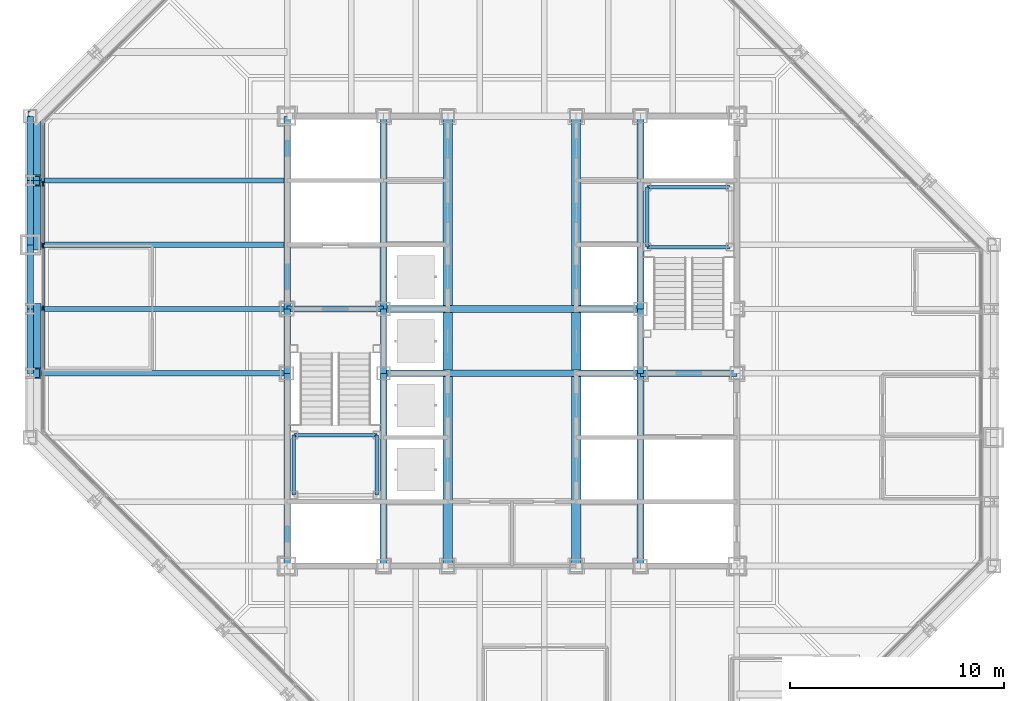
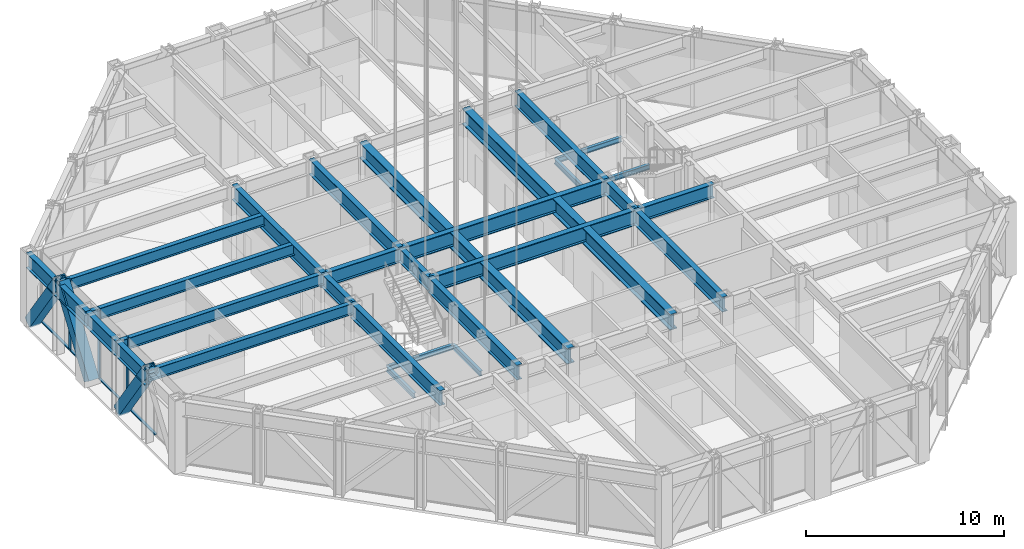
# One storey, part 5 of 24: 33 beams, 10 members, 1 element without a shape of its own.
"""IFC4 building model written with IfcOpenShell, lengths in metres."""

from ifc_helpers import new_model, si_unit, direction, frame, origin, origin_2d, place, context, subcontext, project, spatial, rectangle, hollow_rectangle, i_section, extrude, material, layer, layer_set, material_profile, profile_set, type_object, element, aggregate, save


model = new_model("IFC4")

# Units and contexts
model_context = context("Model", 3, precision=1e-05, world=origin(), true_north=direction((0.0, 1.0)))
body_context = subcontext(model_context, "Body", "Model", "MODEL_VIEW")
ifc_project = project(units=[si_unit("LENGTHUNIT", "METRE"), si_unit("AREAUNIT", "SQUARE_METRE"), si_unit("VOLUMEUNIT", "CUBIC_METRE"), si_unit("PLANEANGLEUNIT", "RADIAN"), si_unit("MASSUNIT", "GRAM", prefix="KILO")], contexts=[model_context])

# Site, building, storey
site_placement = place(None, origin())
site = spatial("IfcSite", under=ifc_project, at=site_placement, CompositionType="ELEMENT")
building_placement = place(site_placement, origin())
building = spatial("IfcBuilding", under=site, at=building_placement, Name="Chuquiago Exchange Tower", CompositionType="ELEMENT")
storey_placement = place(building_placement, frame((0.0, 0.0, 180.0)))
storey = spatial("IfcBuildingStorey", under=building, at=storey_placement, Name="L39", CompositionType="ELEMENT", Elevation=180.0)

# Beams
ifc_material_1 = material(Name="Steel ASTM A992", Category="steel")
ifc_material_profile_1 = material_profile(ifc_material_1, i_section(OverallWidth=0.25390625, OverallDepth=0.683349609375, WebThickness=0.012451171875, FlangeThickness=0.018798828125, at=origin_2d()), Name="W27X94")
ifc_profile_set_1 = profile_set([ifc_material_profile_1], Name="Steel ASTM A992")
beam_type_1 = type_object("IfcBeamType", Name="B1 W27X94", PredefinedType="BEAM", material=ifc_profile_set_1)
for number, where, z_axis, x_axis, name in (
    (1, (12.0, 21.0, 3.998291015625), (-1.0, 0.0, 0.0), (0.0, -1.0, 0.0), "FB-L40-infill-12_21--0_21-0"),
    (2, (12.0, 24.0, 3.998291015625), (-1.0, 0.0, 0.0), (0.0, -1.0, 0.0), "FB-L40-infill-12_24--0_24-0"),
    (3, (12.0, 27.0, 3.998291015625), (-1.0, 0.0, 0.0), (0.0, -1.0, 0.0), "FB-L40-infill-12_27--0_27-0"),
    (4, (12.0, 30.0, 3.998291015625), (-1.0, 0.0, 0.0), (0.0, -1.0, 0.0), "FB-L40-infill-12_30--0_30-0"),
):
    element("IfcBeam", number, at=place(storey_placement, frame(where, z_axis=z_axis, x_axis=x_axis)), inside=storey, type_object=beam_type_1, Name=name, PredefinedType="BEAM", context=body_context, shape_type="SweptSolid", body=[
        extrude(i_section(OverallWidth=0.25390625, OverallDepth=0.683349609375, WebThickness=0.012451171875, FlangeThickness=0.018798828125, at=origin_2d()), origin(), (0.0, 0.0, 1.0), 12.0),
    ])
ifc_material_2 = material(Name="Steel ASTM A992", Category="steel")
ifc_material_profile_2 = material_profile(ifc_material_2, i_section(OverallWidth=0.307373046875, OverallDepth=0.927001953125, WebThickness=0.01953125, FlangeThickness=0.031982421875, at=origin_2d()), Name="W36X194")
ifc_profile_set_2 = profile_set([ifc_material_profile_2], Name="Steel ASTM A992")
beam_type_2 = type_object("IfcBeamType", Name="B10 W36X194", PredefinedType="BEAM", material=ifc_profile_set_2)
for number, where, z_axis, x_axis, name in (
    (5, (12.0, 12.0, 3.87646484375), (0.0, 1.0, 0.0), (-1.0, 0.0, 0.0), "CB-L40-12_12-12_21"),
    (6, (12.0, 24.0, 3.87646484375), (0.0, 1.0, 0.0), (-1.0, 0.0, 0.0), "CB-L40-12_24-12_33"),
    (7, (16.5, 12.0, 3.87646484375), (0.0, 1.0, 0.0), (-1.0, 0.0, 0.0), "CB-L40-16.5_12-16.5_21"),
    (8, (16.5, 24.0, 3.87646484375), (0.0, 1.0, 0.0), (-1.0, 0.0, 0.0), "CB-L40-16.5_24-16.5_33"),
    (9, (28.5, 12.0, 3.87646484375), (0.0, 1.0, 0.0), (-1.0, 0.0, 0.0), "CB-L40-28.5_12-28.5_21"),
    (10, (28.5, 24.0, 3.87646484375), (0.0, 1.0, 0.0), (-1.0, 0.0, 0.0), "CB-L40-28.5_24-28.5_33"),
):
    element("IfcBeam", number, at=place(storey_placement, frame(where, z_axis=z_axis, x_axis=x_axis)), inside=storey, type_object=beam_type_2, Name=name, PredefinedType="BEAM", context=body_context, shape_type="SweptSolid", body=[
        extrude(i_section(OverallWidth=0.307373046875, OverallDepth=0.927001953125, WebThickness=0.01953125, FlangeThickness=0.031982421875, at=origin_2d()), origin(), (0.0, 0.0, 1.0), 9.0),
    ])
ifc_material_3 = material(Name="Steel ASTM A992", Category="steel")
ifc_material_profile_3 = material_profile(ifc_material_3, i_section(OverallWidth=0.309814453125, OverallDepth=0.949951171875, WebThickness=0.0244140625, FlangeThickness=0.0439453125, at=origin_2d()), Name="W36X256")
ifc_profile_set_3 = profile_set([ifc_material_profile_3], Name="Steel ASTM A992")
beam_type_3 = type_object("IfcBeamType", Name="B11 W36X256", PredefinedType="BEAM", material=ifc_profile_set_3)
for number, where, z_axis, x_axis, name in (
    (11, (16.5, 21.0, 3.864990234375), (1.0, 0.0, 0.0), (0.0, 1.0, 0.0), "CB-L40-16.5_21-28.5_21"),
    (12, (16.5, 24.0, 3.864990234375), (1.0, 0.0, 0.0), (0.0, 1.0, 0.0), "CB-L40-16.5_24-28.5_24"),
):
    element("IfcBeam", number, at=place(storey_placement, frame(where, z_axis=z_axis, x_axis=x_axis)), inside=storey, type_object=beam_type_3, Name=name, PredefinedType="BEAM", context=body_context, shape_type="SweptSolid", body=[
        extrude(i_section(OverallWidth=0.309814453125, OverallDepth=0.949951171875, WebThickness=0.0244140625, FlangeThickness=0.0439453125, at=origin_2d()), origin(), (0.0, 0.0, 1.0), 12.0),
    ])
ifc_material_4 = material(Name="Steel ASTM A992", Category="steel")
ifc_material_profile_4 = material_profile(ifc_material_4, i_section(OverallWidth=0.4267578125, OverallDepth=0.975341796875, WebThickness=0.031005859375, FlangeThickness=0.055908203125, at=origin_2d()), Name="W36X395")
ifc_profile_set_4 = profile_set([ifc_material_profile_4], Name="Steel ASTM A992")
beam_type_4 = type_object("IfcBeamType", Name="B12 W36X395", PredefinedType="BEAM", material=ifc_profile_set_4)
beam_1_placement = place(storey_placement, frame((19.5, 12.0, 3.852294921875), z_axis=(0.0, 1.0, 0.0), x_axis=(-1.0, 0.0, 0.0)))
element("IfcBeam", 13, at=beam_1_placement, inside=storey, type_object=beam_type_4, Name="CB-L40-19.5_12-19.5_20.8451", PredefinedType="BEAM", context=body_context, shape_type="SweptSolid", body=[
    extrude(i_section(OverallWidth=0.4267578125, OverallDepth=0.975341796875, WebThickness=0.031005859375, FlangeThickness=0.055908203125, at=origin_2d()), origin(), (0.0, 0.0, 1.0), 8.84521484375),
])
beam_2_placement = place(storey_placement, frame((19.5, 21.15478515625, 3.852294921875), z_axis=(0.0, 1.0, 0.0), x_axis=(-1.0, 0.0, 0.0)))
element("IfcBeam", 14, at=beam_2_placement, inside=storey, type_object=beam_type_4, Name="CB-L40-19.5_21.1549-19.5_23.8451", PredefinedType="BEAM", context=body_context, shape_type="SweptSolid", body=[
    extrude(i_section(OverallWidth=0.4267578125, OverallDepth=0.975341796875, WebThickness=0.031005859375, FlangeThickness=0.055908203125, at=origin_2d()), origin(), (0.0, 0.0, 1.0), 2.6904296875),
])
for number, where, z_axis, x_axis, name in (
    (15, (19.5, 24.15478515625, 3.852294921875), (0.0, 1.0, 0.0), (-1.0, 0.0, 0.0), "CB-L40-19.5_24.1549-19.5_33"),
    (16, (25.5, 12.0, 3.852294921875), (0.0, 1.0, 0.0), (-1.0, 0.0, 0.0), "CB-L40-25.5_12-25.5_20.8451"),
):
    element("IfcBeam", number, at=place(storey_placement, frame(where, z_axis=z_axis, x_axis=x_axis)), inside=storey, type_object=beam_type_4, Name=name, PredefinedType="BEAM", context=body_context, shape_type="SweptSolid", body=[
        extrude(i_section(OverallWidth=0.4267578125, OverallDepth=0.975341796875, WebThickness=0.031005859375, FlangeThickness=0.055908203125, at=origin_2d()), origin(), (0.0, 0.0, 1.0), 8.84521484375),
    ])
beam_3_placement = place(storey_placement, frame((25.5, 21.15478515625, 3.852294921875), z_axis=(0.0, 1.0, 0.0), x_axis=(-1.0, 0.0, 0.0)))
element("IfcBeam", 17, at=beam_3_placement, inside=storey, type_object=beam_type_4, Name="CB-L40-25.5_21.1549-25.5_23.8451", PredefinedType="BEAM", context=body_context, shape_type="SweptSolid", body=[
    extrude(i_section(OverallWidth=0.4267578125, OverallDepth=0.975341796875, WebThickness=0.031005859375, FlangeThickness=0.055908203125, at=origin_2d()), origin(), (0.0, 0.0, 1.0), 2.6904296875),
])
beam_4_placement = place(storey_placement, frame((25.5, 24.15478515625, 3.852294921875), z_axis=(0.0, 1.0, 0.0), x_axis=(-1.0, 0.0, 0.0)))
element("IfcBeam", 18, at=beam_4_placement, inside=storey, type_object=beam_type_4, Name="CB-L40-25.5_24.1549-25.5_33", PredefinedType="BEAM", context=body_context, shape_type="SweptSolid", body=[
    extrude(i_section(OverallWidth=0.4267578125, OverallDepth=0.975341796875, WebThickness=0.031005859375, FlangeThickness=0.055908203125, at=origin_2d()), origin(), (0.0, 0.0, 1.0), 8.84521484375),
])
ifc_material_5 = material(Name="Steel ASTM A992", Category="steel")
ifc_material_profile_5 = material_profile(ifc_material_5, i_section(OverallWidth=0.2919921875, OverallDepth=0.8583984375, WebThickness=0.01708984375, FlangeThickness=0.031005859375, at=origin_2d()), Name="W33X169")
ifc_profile_set_5 = profile_set([ifc_material_profile_5], Name="Steel ASTM A992")
beam_type_5 = type_object("IfcBeamType", Name="B3 W33X169", PredefinedType="BEAM", material=ifc_profile_set_5)
for number, where, z_axis, x_axis, name in (
    (19, (12.0, 21.0, 3.91064453125), (0.0, 1.0, 0.0), (-1.0, 0.0, 0.0), "CB-L40-12_21-12_24"),
    (20, (16.5, 21.0, 3.91064453125), (0.0, 1.0, 0.0), (-1.0, 0.0, 0.0), "CB-L40-16.5_21-16.5_24"),
    (21, (28.5, 21.0, 3.91064453125), (0.0, 1.0, 0.0), (-1.0, 0.0, 0.0), "CB-L40-28.5_21-28.5_24"),
):
    element("IfcBeam", number, at=place(storey_placement, frame(where, z_axis=z_axis, x_axis=x_axis)), inside=storey, type_object=beam_type_5, Name=name, PredefinedType="BEAM", context=body_context, shape_type="SweptSolid", body=[
        extrude(i_section(OverallWidth=0.2919921875, OverallDepth=0.8583984375, WebThickness=0.01708984375, FlangeThickness=0.031005859375, at=origin_2d()), origin(), (0.0, 0.0, 1.0), 3.0),
    ])
for number, where, z_axis, x_axis, name in (
    (22, (28.5, 21.0, 3.91064453125), (1.0, 0.0, 0.0), (0.0, 1.0, 0.0), "CB-L40-28.5_21-33_21"),
    (23, (12.0, 24.0, 3.91064453125), (1.0, 0.0, 0.0), (0.0, 1.0, 0.0), "CB-L40-12_24-16.5_24"),
):
    element("IfcBeam", number, at=place(storey_placement, frame(where, z_axis=z_axis, x_axis=x_axis)), inside=storey, type_object=beam_type_5, Name=name, PredefinedType="BEAM", context=body_context, shape_type="SweptSolid", body=[
        extrude(i_section(OverallWidth=0.2919921875, OverallDepth=0.8583984375, WebThickness=0.01708984375, FlangeThickness=0.031005859375, at=origin_2d()), origin(), (0.0, 0.0, 1.0), 4.5),
    ])

# Curtain wall, members
ifc_material_6 = material(Name="Aluminium curtain wall system", Category="aluminium")
ifc_layer = layer(ifc_material_6, 0.22509765625)
ifc_layer_set = layer_set([ifc_layer], Name="CW2 office curtain wall")
curtain_wall_type = type_object("IfcCurtainWallType", Name="CW2 office curtain wall", PredefinedType="NOTDEFINED", material=ifc_layer_set)
curtain_wall_placement = place(storey_placement, origin())
curtain_wall = element("IfcCurtainWall", 24, at=curtain_wall_placement, inside=storey, type_object=curtain_wall_type, Name="CW2 curtain wall L39", PredefinedType="NOTDEFINED")
ifc_material_7 = material(Name="Aluminium mullion, pale anodised", Category="aluminium")
ifc_material_profile_6 = material_profile(ifc_material_7, rectangle(XDim=0.06494140625, YDim=0.22509765625, at=origin_2d()), Name="AL 65x225")
ifc_profile_set_6 = profile_set([ifc_material_profile_6], Name="Aluminium mullion, pale anodised")
member_type_1 = type_object("IfcMemberType", Name="CW2-M mullion 65x225", PredefinedType="MULLION", material=ifc_profile_set_6)
member_1_placement = place(storey_placement, frame((0.60009765625, 29.850830078125, 0.0), z_axis=(0.0, 0.0, 1.0), x_axis=(1.0, 0.0, 0.0)))
member_1 = element("IfcMember", 25, at=member_1_placement, type_object=member_type_1, Name="CW2 mullion 2", PredefinedType="MULLION", context=body_context, shape_type="SweptSolid", body=[
    extrude(rectangle(XDim=0.06494140625, YDim=0.22509765625, at=origin_2d()), origin(), (0.0, 0.0, 1.0), 4.340087890625),
])
member_2_placement = place(storey_placement, frame((0.60009765625, 26.9501953125, 0.0), z_axis=(0.0, 0.0, 1.0), x_axis=(1.0, 0.0, 0.0)))
member_2 = element("IfcMember", 26, at=member_2_placement, type_object=member_type_1, Name="CW2 mullion 3", PredefinedType="MULLION", context=body_context, shape_type="SweptSolid", body=[
    extrude(rectangle(XDim=0.06494140625, YDim=0.22509765625, at=origin_2d()), origin(), (0.0, 0.0, 1.0), 4.340087890625),
])
member_3_placement = place(storey_placement, frame((0.60009765625, 24.0498046875, 0.0), z_axis=(0.0, 0.0, 1.0), x_axis=(1.0, 0.0, 0.0)))
member_3 = element("IfcMember", 27, at=member_3_placement, type_object=member_type_1, Name="CW2 mullion 4", PredefinedType="MULLION", context=body_context, shape_type="SweptSolid", body=[
    extrude(rectangle(XDim=0.06494140625, YDim=0.22509765625, at=origin_2d()), origin(), (0.0, 0.0, 1.0), 4.340087890625),
])
ifc_material_8 = material(Name="Aluminium transom, pale anodised", Category="aluminium")
ifc_material_profile_7 = material_profile(ifc_material_8, rectangle(XDim=0.139892578125, YDim=0.06494140625, at=origin_2d()), Name="AL 140x65")
ifc_profile_set_7 = profile_set([ifc_material_profile_7], Name="Aluminium transom, pale anodised")
member_type_2 = type_object("IfcMemberType", Name="CW2-T transom 65x140", PredefinedType="MULLION", material=ifc_profile_set_7)
member_4_placement = place(storey_placement, frame((0.60009765625, 32.6865234375, 0.032470703125), z_axis=(0.0, -1.0, 0.0), x_axis=(1.0, 0.0, 0.0)))
member_4 = element("IfcMember", 28, at=member_4_placement, type_object=member_type_2, Name="CW2 transom 1.1", PredefinedType="MULLION", context=body_context, shape_type="SweptSolid", body=[
    extrude(rectangle(XDim=0.139892578125, YDim=0.06494140625, at=origin_2d()), origin(), (0.0, 0.0, 1.0), 2.80322265625),
])
member_5_placement = place(storey_placement, frame((0.60009765625, 29.818359375, 0.032470703125), z_axis=(0.0, -1.0, 0.0), x_axis=(1.0, 0.0, 0.0)))
member_5 = element("IfcMember", 29, at=member_5_placement, type_object=member_type_2, Name="CW2 transom 2.1", PredefinedType="MULLION", context=body_context, shape_type="SweptSolid", body=[
    extrude(rectangle(XDim=0.139892578125, YDim=0.06494140625, at=origin_2d()), origin(), (0.0, 0.0, 1.0), 2.83544921875),
])
member_6_placement = place(storey_placement, frame((0.60009765625, 26.917724609375, 0.032470703125), z_axis=(0.0, -1.0, 0.0), x_axis=(1.0, 0.0, 0.0)))
member_6 = element("IfcMember", 30, at=member_6_placement, type_object=member_type_2, Name="CW2 transom 3.1", PredefinedType="MULLION", context=body_context, shape_type="SweptSolid", body=[
    extrude(rectangle(XDim=0.139892578125, YDim=0.06494140625, at=origin_2d()), origin(), (0.0, 0.0, 1.0), 2.83544921875),
])
member_7_placement = place(storey_placement, frame((0.60009765625, 24.01708984375, 0.032470703125), z_axis=(0.0, -1.0, 0.0), x_axis=(1.0, 0.0, 0.0)))
member_7 = element("IfcMember", 31, at=member_7_placement, type_object=member_type_2, Name="CW2 transom 4.1", PredefinedType="MULLION", context=body_context, shape_type="SweptSolid", body=[
    extrude(rectangle(XDim=0.139892578125, YDim=0.06494140625, at=origin_2d()), origin(), (0.0, 0.0, 1.0), 2.83544921875),
])
aggregate(curtain_wall, [member_1, member_2, member_3, member_4, member_5, member_6, member_7])

# Beams
ifc_material_9 = material(Name="Steel ASTM A992", Category="steel")
ifc_material_profile_8 = material_profile(ifc_material_9, i_section(OverallWidth=0.164794921875, OverallDepth=0.309814453125, WebThickness=0.005859375, FlangeThickness=0.009765625, at=origin_2d()), Name="W12X26")
ifc_profile_set_8 = profile_set([ifc_material_profile_8], Name="Steel ASTM A992")
beam_type_6 = type_object("IfcBeamType", Name="LS1 W12X26", PredefinedType="BEAM", material=ifc_profile_set_8)
for number, where, z_axis, x_axis, name in (
    (32, (12.31005859375, 15.31005859375, 1.89501953125), (0.0, 1.0, 0.0), (-1.0, 0.0, 0.0), "Stair ST1 L39 landing 1 stringer"),
    (33, (16.18994140625, 15.31005859375, 1.89501953125), (0.0, 1.0, 0.0), (-1.0, 0.0, 0.0), "Stair ST1 L39 landing 1 stringer"),
    (34, (28.81005859375, 26.889892578125, 1.89501953125), (0.0, 1.0, 0.0), (-1.0, 0.0, 0.0), "Stair ST2 L39 landing 1 stringer"),
):
    element("IfcBeam", number, at=place(storey_placement, frame(where, z_axis=z_axis, x_axis=x_axis)), inside=storey, type_object=beam_type_6, Name=name, PredefinedType="BEAM", context=body_context, shape_type="SweptSolid", body=[
        extrude(i_section(OverallWidth=0.164794921875, OverallDepth=0.309814453125, WebThickness=0.005859375, FlangeThickness=0.009765625, at=origin_2d()), origin(), (0.0, 0.0, 1.0), 2.800048828125),
    ])
ifc_material_10 = material(Name="Steel ASTM A992", Category="steel")
ifc_material_profile_9 = material_profile(ifc_material_10, i_section(OverallWidth=0.164794921875, OverallDepth=0.309814453125, WebThickness=0.005859375, FlangeThickness=0.009765625, at=origin_2d()), Name="W12X26")
ifc_profile_set_9 = profile_set([ifc_material_profile_9], Name="Steel ASTM A992")
beam_type_7 = type_object("IfcBeamType", Name="LT1 W12X26", PredefinedType="BEAM", material=ifc_profile_set_9)
for number, where, z_axis, x_axis, name in (
    (35, (12.31005859375, 18.110107421875, 1.89501953125), (1.0, 0.0, 0.0), (0.0, 1.0, 0.0), "Stair ST1 L39 landing 1 trimmer"),
    (36, (28.81005859375, 29.68994140625, 1.89501953125), (1.0, 0.0, 0.0), (0.0, 1.0, 0.0), "Stair ST2 L39 landing 1 trimmer"),
    (37, (28.81005859375, 26.889892578125, 1.89501953125), (1.0, 0.0, 0.0), (0.0, 1.0, 0.0), "Stair ST2 L39 landing 1 trimmer"),
):
    element("IfcBeam", number, at=place(storey_placement, frame(where, z_axis=z_axis, x_axis=x_axis)), inside=storey, type_object=beam_type_7, Name=name, PredefinedType="BEAM", context=body_context, shape_type="SweptSolid", body=[
        extrude(i_section(OverallWidth=0.164794921875, OverallDepth=0.309814453125, WebThickness=0.005859375, FlangeThickness=0.009765625, at=origin_2d()), origin(), (0.0, 0.0, 1.0), 3.8798828125),
    ])

# Members
ifc_material_11 = material(Name="Steel ASTM A572 Grade 50", Category="steel")
ifc_material_profile_10 = material_profile(ifc_material_11, hollow_rectangle(XDim=0.60009765625, YDim=0.60009765625, WallThickness=0.06005859375, at=origin_2d()), Name="BOX600X600X60")
ifc_profile_set_10 = profile_set([ifc_material_profile_10], Name="Steel ASTM A572 Grade 50")
member_type_3 = type_object("IfcMemberType", Name="MB3 BOX600X600X60", PredefinedType="BRACE", material=ifc_profile_set_10)
for number, where, z_axis, x_axis, name in (
    (38, (0.205078125, 33.0, 0.0), (0.0, -0.568610676405, 0.822606770382), (1.0, 0.0, 0.0), "Mega diagonal L39 W face"),
    (39, (0.205078125, 27.0, 0.0), (0.0, 0.568610676405, 0.822606770382), (-1.0, 0.0, 0.0), "Mega diagonal L39 W face"),
    (40, (0.205078125, 24.0, 0.0), (0.0, -0.568610676405, 0.822606770382), (1.0, 0.0, 0.0), "Mega diagonal L39 W face"),
):
    element("IfcMember", number, at=place(storey_placement, frame(where, z_axis=z_axis, x_axis=x_axis)), inside=storey, type_object=member_type_3, Name=name, PredefinedType="BRACE", context=body_context, shape_type="SweptSolid", body=[
        extrude(hollow_rectangle(XDim=0.60009765625, YDim=0.60009765625, WallThickness=0.06005859375, at=origin_2d()), origin(), (0.0, 0.0, 1.0), 5.276123046875),
    ])

# Beams
ifc_material_12 = material(Name="Steel ASTM A992", Category="steel")
ifc_material_profile_11 = material_profile(ifc_material_12, i_section(OverallWidth=0.307373046875, OverallDepth=0.927001953125, WebThickness=0.01953125, FlangeThickness=0.031982421875, at=origin_2d()), Name="W36X194")
ifc_profile_set_11 = profile_set([ifc_material_profile_11], Name="Steel ASTM A992")
beam_type_8 = type_object("IfcBeamType", Name="SP3 W36X194", PredefinedType="SPANDREL", material=ifc_profile_set_11)
for number, where, z_axis, x_axis, name in (
    (41, (0.0, 33.0, 3.87646484375), (0.0, -1.0, 0.0), (1.0, 0.0, 0.0), "SPB-L40-0_33-0_30"),
    (42, (0.0, 30.0, 3.87646484375), (0.0, -1.0, 0.0), (1.0, 0.0, 0.0), "SPB-L40-0_30-0_27"),
    (43, (0.0, 27.0, 3.87646484375), (0.0, -1.0, 0.0), (1.0, 0.0, 0.0), "SPB-L40-0_27-0_24"),
    (44, (0.0, 24.0, 3.87646484375), (0.0, -1.0, 0.0), (1.0, 0.0, 0.0), "SPB-L40-0_24-0_21"),
):
    element("IfcBeam", number, at=place(storey_placement, frame(where, z_axis=z_axis, x_axis=x_axis)), inside=storey, type_object=beam_type_8, Name=name, PredefinedType="SPANDREL", context=body_context, shape_type="SweptSolid", body=[
        extrude(i_section(OverallWidth=0.307373046875, OverallDepth=0.927001953125, WebThickness=0.01953125, FlangeThickness=0.031982421875, at=origin_2d()), origin(), (0.0, 0.0, 1.0), 3.0),
    ])

save(model, "model.ifc")
